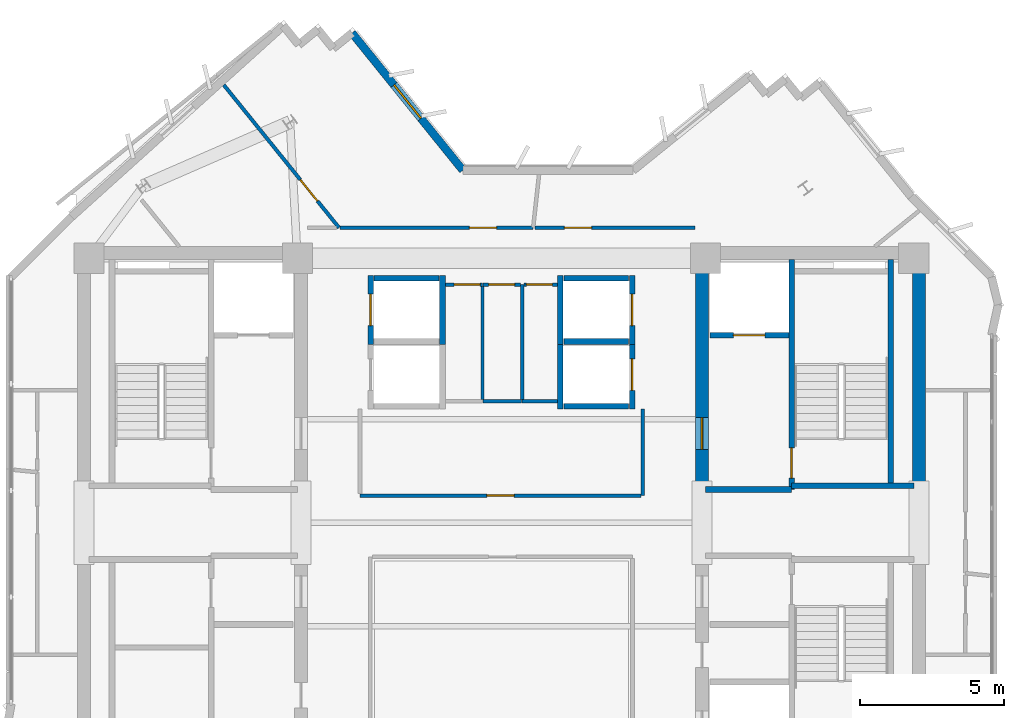
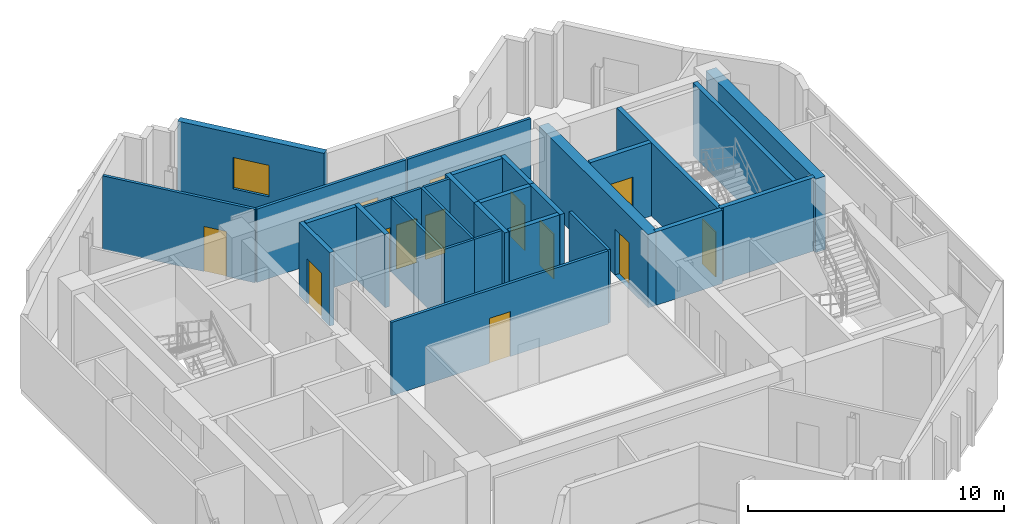
# One storey, part 8 of 11: 30 walls, 13 doors, 1 window, 14 openings.
"""IFC4 building model written with IfcOpenShell, lengths in metres."""

from ifc_helpers import new_model, si_unit, direction, frame, frame_2d, origin, place, context, subcontext, project, spatial, rectangle, extrude, source, transform, mapped, material, layer, layer_set, type_object, element, fill, save


model = new_model("IFC4")

# Units and contexts
model_context = context("Model", 3, precision=1e-05, world=origin(), true_north=direction((0.0, 1.0)))
body_context = subcontext(model_context, "Body", "Model", "MODEL_VIEW")
ifc_project = project(units=[si_unit("LENGTHUNIT", "METRE"), si_unit("AREAUNIT", "SQUARE_METRE"), si_unit("VOLUMEUNIT", "CUBIC_METRE"), si_unit("PLANEANGLEUNIT", "RADIAN"), si_unit("MASSUNIT", "GRAM", prefix="KILO")], contexts=[model_context])

# Site, building, storey
site_placement = place(None, origin())
site = spatial("IfcSite", under=ifc_project, at=site_placement, CompositionType="ELEMENT")
building_placement = place(site_placement, origin())
building = spatial("IfcBuilding", under=site, at=building_placement, Name="Zahravan Cultural Tower", CompositionType="ELEMENT")
storey_placement = place(building_placement, frame((0.0, 0.0, 284.10009765625)))
storey = spatial("IfcBuildingStorey", under=building, at=storey_placement, Name="L68", CompositionType="ELEMENT", Elevation=284.10009765625)

# Wall, opening, door
ifc_material_1 = material(Name="Concrete C50/60", Category="concrete")
ifc_layer_1 = layer(ifc_material_1, 0.449951171875)
ifc_layer_set_1 = layer_set([ifc_layer_1], Name="Concrete C50/60")
wall_type_1 = type_object("IfcWallType", Name="CW-SHEAR-450-C50", PredefinedType="SHEAR", material=ifc_layer_set_1)
wall_1_placement = place(storey_placement, frame((42.97509765625, 28.050048828125, 0.0), z_axis=(0.0, 0.0, 1.0), x_axis=(0.0, 1.0, 0.0)))
wall_1 = element("IfcWall", 1, at=wall_1_placement, inside=storey, type_object=wall_type_1, Name="L68 Core Shear Wall CW-E-WN-L68", PredefinedType="SHEAR", context=body_context, shape_type="SweptSolid", body=[
    extrude(rectangle(XDim=8.550048828125, YDim=0.449951171875, at=frame_2d((4.27490234375, 0.0))), origin(), (0.0, 0.0, 1.0), 3.5),
])
opening_1_placement = place(wall_1_placement, frame((1.5, 0.0, 0.0)))
opening_1 = element("IfcOpeningElement", 2, at=opening_1_placement, cuts=wall_1, Name="Opening D-L68-07", PredefinedType="OPENING", context=body_context, shape_type="SweptSolid", body=[
    extrude(rectangle(XDim=1.10009765625, YDim=2.199951171875, at=frame_2d((0.550048828125, 1.10009765625))), frame((0.0, 0.23486328125, 0.0), z_axis=(0.0, -1.0, 0.0), x_axis=(1.0, 0.0, 0.0)), (0.0, 0.0, 1.0), 0.469970703125),
])
ifc_material_2 = material(Name="Steel ASTM A572 Grade 50", Category="steel")
door_type_1 = type_object("IfcDoorType", Name="DR-LOBBY-1100", OperationType="NOTDEFINED", PredefinedType="DOOR", material=ifc_material_2)
shared_shape_1 = source(origin(), body_context, "Body", "SweptSolid", [
    extrude(rectangle(XDim=1.10009765625, YDim=2.199951171875, at=frame_2d((0.550048828125, 1.10009765625))), frame((0.0, 0.02490234375, 0.0), z_axis=(0.0, -1.0, 0.0), x_axis=(1.0, 0.0, 0.0)), (0.0, 0.0, 1.0), 0.050048828125),
])
door_1_placement = place(opening_1_placement, origin())
door_1 = element("IfcDoor", 3, at=door_1_placement, inside=storey, type_object=door_type_1, Name="L68 Door D-L68-07", OperationType="SINGLE_SWING_RIGHT", OverallHeight=2.199951171875, OverallWidth=1.10009765625, PredefinedType="DOOR", context=body_context, shape_type="MappedRepresentation", body=[
    mapped(shared_shape_1, transform((0.0, 0.0, 0.0), x_axis=(1.0, 0.0, 0.0), y_axis=(0.0, 1.0, 0.0), z_axis=(0.0, 0.0, 1.0), scale=1.0)),
])
fill(opening_1, door_1)

# Wall, opening, window
ifc_material_3 = material(Name="Precast concrete C40/50", Category="concrete")
ifc_layer_2 = layer(ifc_material_3, 0.280029296875)
ifc_layer_set_2 = layer_set([ifc_layer_2], Name="Precast concrete C40/50")
wall_type_2 = type_object("IfcWallType", Name="EW-TC-280", PredefinedType="SOLIDWALL", material=ifc_layer_set_2)
wall_2_placement = place(storey_placement, frame((30.80419921875, 44.037353515625, 0.0), z_axis=(0.0, 0.0, 1.0), x_axis=(0.628194566809, -0.778056287316, 0.0)))
wall_2 = element("IfcWall", 4, at=wall_2_placement, inside=storey, type_object=wall_type_2, Name="L68 Exterior Masonry Frame Wall 07", PredefinedType="SOLIDWALL", context=body_context, shape_type="SweptSolid", body=[
    extrude(rectangle(XDim=6.14013671875, YDim=0.280029296875, at=frame_2d((3.070068359375, 0.0))), origin(), (0.0, 0.0, 1.0), 3.5),
])
opening_2_placement = place(wall_2_placement, frame((2.320068359375, 0.0, 0.85009765625)))
opening_2 = element("IfcOpeningElement", 5, at=opening_2_placement, cuts=wall_2, Name="Opening WN-03", PredefinedType="OPENING", context=body_context, shape_type="SweptSolid", body=[
    extrude(rectangle(XDim=1.5, YDim=1.5, at=frame_2d((0.75, 0.75))), frame((0.0, 0.14990234375, 0.0), z_axis=(0.0, -1.0, 0.0), x_axis=(1.0, 0.0, 0.0)), (0.0, 0.0, 1.0), 0.300048828125),
])
ifc_material_4 = material(Name="Low-E solar-control double glazing", Category="glass")
window_type = type_object("IfcWindowType", Name="WN-REC-1500X1500", PartitioningType="SINGLE_PANEL", PredefinedType="WINDOW", material=ifc_material_4)
shared_shape_2 = source(origin(), body_context, "Body", "SweptSolid", [
    extrude(rectangle(XDim=1.5, YDim=1.5, at=frame_2d((0.75, 0.75))), frame((0.0, 0.030029296875, 0.0), z_axis=(0.0, -1.0, 0.0), x_axis=(1.0, 0.0, 0.0)), (0.0, 0.0, 1.0), 0.06005859375),
])
window_placement = place(opening_2_placement, origin())
window = element("IfcWindow", 6, at=window_placement, inside=storey, type_object=window_type, Name="L68 Recessed Solar Window 02", OverallHeight=1.5, OverallWidth=1.5, PartitioningType="SINGLE_PANEL", PredefinedType="WINDOW", context=body_context, shape_type="MappedRepresentation", body=[
    mapped(shared_shape_2, transform((0.0, 0.0, 0.0), x_axis=(1.0, 0.0, 0.0), y_axis=(0.0, 1.0, 0.0), z_axis=(0.0, 0.0, 1.0), scale=1.0)),
])
fill(opening_2, window)

# Wall, opening, door
ifc_material_5 = material(Name="Gypsum plasterboard partition")
ifc_layer_3 = layer(ifc_material_5, 0.125)
ifc_layer_set_3 = layer_set([ifc_layer_3], Name="Gypsum plasterboard partition")
wall_type_3 = type_object("IfcWallType", Name="W-PART-125", PredefinedType="PARTITIONING", material=ifc_layer_set_3)
wall_3_placement = place(storey_placement, frame((26.340576171875, 42.227294921875, 0.0), z_axis=(0.0, 0.0, 1.0), x_axis=(0.628191114615, -0.778059074569, 0.0)))
wall_3 = element("IfcWall", 7, at=wall_3_placement, inside=storey, type_object=wall_type_3, Name="L68 Interior Wall 071", PredefinedType="PARTITIONING", context=body_context, shape_type="SweptSolid", body=[
    extrude(rectangle(XDim=6.38427734375, YDim=0.125, at=frame_2d((3.192138671875, 0.0))), origin(), (0.0, 0.0, 1.0), 3.5),
])
opening_3_placement = place(wall_3_placement, frame((4.238525390625, 0.0, 0.0)))
opening_3 = element("IfcOpeningElement", 8, at=opening_3_placement, cuts=wall_3, Name="Opening D-L68-25", PredefinedType="OPENING", context=body_context, shape_type="SweptSolid", body=[
    extrude(rectangle(XDim=0.949951171875, YDim=2.14990234375, at=frame_2d((0.47509765625, 1.074951171875))), frame((0.0, 0.072509765625, 0.0), z_axis=(0.0, -1.0, 0.0), x_axis=(1.0, 0.0, 0.0)), (0.0, 0.0, 1.0), 0.14501953125),
])
ifc_material_6 = material(Name="Anodised bronze-aluminium mullion", Category="aluminium")
door_type_2 = type_object("IfcDoorType", Name="DR-ROOM-950", OperationType="NOTDEFINED", PredefinedType="DOOR", material=ifc_material_6)
shared_shape_3 = source(origin(), body_context, "Body", "SweptSolid", [
    extrude(rectangle(XDim=0.949951171875, YDim=2.14990234375, at=frame_2d((0.47509765625, 1.074951171875))), frame((0.0, 0.02490234375, 0.0), z_axis=(0.0, -1.0, 0.0), x_axis=(1.0, 0.0, 0.0)), (0.0, 0.0, 1.0), 0.050048828125),
])
door_2_placement = place(opening_3_placement, origin())
door_2 = element("IfcDoor", 9, at=door_2_placement, inside=storey, type_object=door_type_2, Name="L68 Door D-L68-25", OperationType="SINGLE_SWING_RIGHT", OverallHeight=2.14990234375, OverallWidth=0.949951171875, PredefinedType="DOOR", context=body_context, shape_type="MappedRepresentation", body=[
    mapped(shared_shape_3, transform((0.0, 0.0, 0.0), x_axis=(1.0, 0.0, 0.0), y_axis=(0.0, 1.0, 0.0), z_axis=(0.0, 0.0, 1.0), scale=1.0)),
])
fill(opening_3, door_2)

wall_4_placement = place(storey_placement, frame((40.8525390625, 27.93994140625, 0.0), z_axis=(0.0, 0.0, 1.0), x_axis=(-1.0, 0.0, 0.0)))
wall_4 = element("IfcWall", 10, at=wall_4_placement, inside=storey, type_object=wall_type_3, Name="L68 Interior Wall 078", PredefinedType="PARTITIONING", context=body_context, shape_type="SweptSolid", body=[
    extrude(rectangle(XDim=9.7724609375, YDim=0.125, at=frame_2d((4.88623046875, 0.0))), origin(), (0.0, 0.0, 1.0), 3.5),
])
opening_4_placement = place(wall_4_placement, frame((4.411376953125, 0.0, 0.0)))
opening_4 = element("IfcOpeningElement", 11, at=opening_4_placement, cuts=wall_4, Name="Opening D-L68-16", PredefinedType="OPENING", context=body_context, shape_type="SweptSolid", body=[
    extrude(rectangle(XDim=0.949951171875, YDim=2.14990234375, at=frame_2d((0.47509765625, 1.074951171875))), frame((0.0, 0.072509765625, 0.0), z_axis=(0.0, -1.0, 0.0), x_axis=(1.0, 0.0, 0.0)), (0.0, 0.0, 1.0), 0.14501953125),
])
door_3_placement = place(opening_4_placement, origin())
door_3 = element("IfcDoor", 12, at=door_3_placement, inside=storey, type_object=door_type_2, Name="L68 Door D-L68-16", OperationType="SINGLE_SWING_LEFT", OverallHeight=2.14990234375, OverallWidth=0.949951171875, PredefinedType="DOOR", context=body_context, shape_type="MappedRepresentation", body=[
    mapped(shared_shape_3, transform((0.0, 0.0, 0.0), x_axis=(1.0, 0.0, 0.0), y_axis=(0.0, 1.0, 0.0), z_axis=(0.0, 0.0, 1.0), scale=1.0)),
])
fill(opening_4, door_3)

wall_5_placement = place(storey_placement, frame((37.103759765625, 37.260009765625, 0.0), z_axis=(0.0, 0.0, 1.0), x_axis=(-1.0, 0.0, 0.0)))
wall_5 = element("IfcWall", 13, at=wall_5_placement, inside=storey, type_object=wall_type_3, Name="L68 Interior Wall 080", PredefinedType="PARTITIONING", context=body_context, shape_type="SweptSolid", body=[
    extrude(rectangle(XDim=6.72705078125, YDim=0.125, at=frame_2d((3.363525390625, 0.0))), origin(), (0.0, 0.0, 1.0), 3.5),
])
opening_5_placement = place(wall_5_placement, frame((1.27099609375, 0.0, 0.0)))
opening_5 = element("IfcOpeningElement", 14, at=opening_5_placement, cuts=wall_5, Name="Opening D-L68-19", PredefinedType="OPENING", context=body_context, shape_type="SweptSolid", body=[
    extrude(rectangle(XDim=0.949951171875, YDim=2.14990234375, at=frame_2d((0.47509765625, 1.074951171875))), frame((0.0, 0.072509765625, 0.0), z_axis=(0.0, -1.0, 0.0), x_axis=(1.0, 0.0, 0.0)), (0.0, 0.0, 1.0), 0.14501953125),
])
door_4_placement = place(opening_5_placement, origin())
door_4 = element("IfcDoor", 15, at=door_4_placement, inside=storey, type_object=door_type_2, Name="L68 Door D-L68-19", OperationType="SINGLE_SWING_RIGHT", OverallHeight=2.14990234375, OverallWidth=0.949951171875, PredefinedType="DOOR", context=body_context, shape_type="MappedRepresentation", body=[
    mapped(shared_shape_3, transform((0.0, 0.0, 0.0), x_axis=(1.0, 0.0, 0.0), y_axis=(0.0, 1.0, 0.0), z_axis=(0.0, 0.0, 1.0), scale=1.0)),
])
fill(opening_5, door_4)

wall_6_placement = place(storey_placement, frame((42.742431640625, 37.259765625, 0.0), z_axis=(0.0, 0.0, 1.0), x_axis=(-0.99999999904, 4.382505e-05, 0.0)))
wall_6 = element("IfcWall", 16, at=wall_6_placement, inside=storey, type_object=wall_type_3, Name="L68 Interior Wall 086", PredefinedType="PARTITIONING", context=body_context, shape_type="SweptSolid", body=[
    extrude(rectangle(XDim=5.57080078125, YDim=0.125, at=frame_2d((2.785400390625, 0.0))), origin(), (0.0, 0.0, 1.0), 3.5),
])
opening_6_placement = place(wall_6_placement, frame((3.604248046875, 0.0, 0.0)))
opening_6 = element("IfcOpeningElement", 17, at=opening_6_placement, cuts=wall_6, Name="Opening D-L68-18", PredefinedType="OPENING", context=body_context, shape_type="SweptSolid", body=[
    extrude(rectangle(XDim=0.949951171875, YDim=2.14990234375, at=frame_2d((0.47509765625, 1.074951171875))), frame((0.0, 0.072509765625, 0.0), z_axis=(0.0, -1.0, 0.0), x_axis=(1.0, 0.0, 0.0)), (0.0, 0.0, 1.0), 0.14501953125),
])
door_5_placement = place(opening_6_placement, origin())
door_5 = element("IfcDoor", 18, at=door_5_placement, inside=storey, type_object=door_type_2, Name="L68 Door D-L68-18", OperationType="SINGLE_SWING_LEFT", OverallHeight=2.14990234375, OverallWidth=0.949951171875, PredefinedType="DOOR", context=body_context, shape_type="MappedRepresentation", body=[
    mapped(shared_shape_3, transform((0.0, 0.0, 0.0), x_axis=(1.0, 0.0, 0.0), y_axis=(0.0, 1.0, 0.0), z_axis=(0.0, 0.0, 1.0), scale=1.0)),
])
fill(opening_6, door_5)

ifc_material_7 = material(Name="Concrete C45/55", Category="concrete")
ifc_layer_4 = layer(ifc_material_7, 0.199951171875)
ifc_layer_set_4 = layer_set([ifc_layer_4], Name="Concrete C45/55")
wall_type_4 = type_object("IfcWallType", Name="W-SHAFT-200", PredefinedType="SOLIDWALL", material=ifc_layer_set_4)
wall_7_placement = place(storey_placement, frame((46.10009765625, 28.14990234375, 0.0), z_axis=(0.0, 0.0, 1.0), x_axis=(0.0, 1.0, 0.0)))
wall_7 = element("IfcWall", 19, at=wall_7_placement, inside=storey, type_object=wall_type_4, Name="L68 Interior Wall 008", PredefinedType="SOLIDWALL", context=body_context, shape_type="SweptSolid", body=[
    extrude(rectangle(XDim=8.0, YDim=0.199951171875, at=frame_2d((4.0, 0.0))), origin(), (0.0, 0.0, 1.0), 3.5),
])
opening_7_placement = place(wall_7_placement, frame((0.39990234375, 0.0, 0.0)))
opening_7 = element("IfcOpeningElement", 20, at=opening_7_placement, cuts=wall_7, Name="Opening D-L68-02", PredefinedType="OPENING", context=body_context, shape_type="SweptSolid", body=[
    extrude(rectangle(XDim=1.050048828125, YDim=2.14990234375, at=frame_2d((0.52490234375, 1.074951171875))), frame((0.0, 0.10986328125, 0.0), z_axis=(0.0, -1.0, 0.0), x_axis=(1.0, 0.0, 0.0)), (0.0, 0.0, 1.0), 0.219970703125),
])
door_type_3 = type_object("IfcDoorType", Name="DR-STAIR-1050", OperationType="NOTDEFINED", PredefinedType="DOOR", material=ifc_material_2)
shared_shape_4 = source(origin(), body_context, "Body", "SweptSolid", [
    extrude(rectangle(XDim=1.050048828125, YDim=2.14990234375, at=frame_2d((0.52490234375, 1.074951171875))), frame((0.0, 0.02490234375, 0.0), z_axis=(0.0, -1.0, 0.0), x_axis=(1.0, 0.0, 0.0)), (0.0, 0.0, 1.0), 0.050048828125),
])
door_6_placement = place(opening_7_placement, origin())
door_6 = element("IfcDoor", 21, at=door_6_placement, inside=storey, type_object=door_type_3, Name="L68 Door D-L68-02", OperationType="SINGLE_SWING_LEFT", OverallHeight=2.14990234375, OverallWidth=1.050048828125, PredefinedType="DOOR", context=body_context, shape_type="MappedRepresentation", body=[
    mapped(shared_shape_4, transform((0.0, 0.0, 0.0), x_axis=(1.0, 0.0, 0.0), y_axis=(0.0, 1.0, 0.0), z_axis=(0.0, 0.0, 1.0), scale=1.0)),
])
fill(opening_7, door_6)

wall_8_placement = place(storey_placement, frame((43.25, 33.52001953125, 0.0), z_axis=(0.0, 0.0, 1.0), x_axis=(1.0, 0.0, 0.0)))
wall_8 = element("IfcWall", 22, at=wall_8_placement, inside=storey, type_object=wall_type_4, Name="L68 Interior Wall 023", PredefinedType="SOLIDWALL", context=body_context, shape_type="SweptSolid", body=[
    extrude(rectangle(XDim=2.75, YDim=0.199951171875, at=frame_2d((1.375, 0.0))), origin(), (0.0, 0.0, 1.0), 3.5),
])
opening_8_placement = place(wall_8_placement, frame((0.820068359375, 0.0, 0.0)))
opening_8 = element("IfcOpeningElement", 23, at=opening_8_placement, cuts=wall_8, Name="Opening LD-L68-02", PredefinedType="OPENING", context=body_context, shape_type="SweptSolid", body=[
    extrude(rectangle(XDim=1.10009765625, YDim=2.14990234375, at=frame_2d((0.550048828125, 1.074951171875))), frame((0.0, 0.10986328125, 0.0), z_axis=(0.0, -1.0, 0.0), x_axis=(1.0, 0.0, 0.0)), (0.0, 0.0, 1.0), 0.219970703125),
])
door_type_4 = type_object("IfcDoorType", Name="DR-LIFT-1100", OperationType="DOUBLE_DOOR_SLIDING", PredefinedType="DOOR", material=ifc_material_2)
shared_shape_5 = source(origin(), body_context, "Body", "SweptSolid", [
    extrude(rectangle(XDim=1.10009765625, YDim=2.14990234375, at=frame_2d((0.550048828125, 1.074951171875))), frame((0.0, 0.02490234375, 0.0), z_axis=(0.0, -1.0, 0.0), x_axis=(1.0, 0.0, 0.0)), (0.0, 0.0, 1.0), 0.050048828125),
])
door_7_placement = place(opening_8_placement, origin())
door_7 = element("IfcDoor", 24, at=door_7_placement, inside=storey, type_object=door_type_4, Name="L68 Door LD-L68-02", OperationType="DOUBLE_DOOR_SLIDING", OverallHeight=2.14990234375, OverallWidth=1.10009765625, PredefinedType="DOOR", context=body_context, shape_type="MappedRepresentation", body=[
    mapped(shared_shape_5, transform((0.0, 0.0, 0.0), x_axis=(1.0, 0.0, 0.0), y_axis=(0.0, 1.0, 0.0), z_axis=(0.0, 0.0, 1.0), scale=1.0)),
])
fill(opening_8, door_7)

wall_9_placement = place(storey_placement, frame((31.449951171875, 33.199951171875, 0.0), z_axis=(0.0, 0.0, 1.0), x_axis=(0.0, 1.0, 0.0)))
wall_9 = element("IfcWall", 25, at=wall_9_placement, inside=storey, type_object=wall_type_4, Name="L68 Interior Wall 027", PredefinedType="SOLIDWALL", context=body_context, shape_type="SweptSolid", body=[
    extrude(rectangle(XDim=2.400146484375, YDim=0.199951171875, at=frame_2d((1.2001953125, 0.0))), origin(), (0.0, 0.0, 1.0), 3.5),
])
opening_9_placement = place(wall_9_placement, frame((0.64990234375, 0.0, 0.0)))
opening_9 = element("IfcOpeningElement", 26, at=opening_9_placement, cuts=wall_9, Name="Opening LD-L68-04", PredefinedType="OPENING", context=body_context, shape_type="SweptSolid", body=[
    extrude(rectangle(XDim=1.10009765625, YDim=2.14990234375, at=frame_2d((0.550048828125, 1.074951171875))), frame((0.0, 0.10986328125, 0.0), z_axis=(0.0, -1.0, 0.0), x_axis=(1.0, 0.0, 0.0)), (0.0, 0.0, 1.0), 0.219970703125),
])
door_8_placement = place(opening_9_placement, origin())
door_8 = element("IfcDoor", 27, at=door_8_placement, inside=storey, type_object=door_type_4, Name="L68 Door LD-L68-04", OperationType="DOUBLE_DOOR_SLIDING", OverallHeight=2.14990234375, OverallWidth=1.10009765625, PredefinedType="DOOR", context=body_context, shape_type="MappedRepresentation", body=[
    mapped(shared_shape_5, transform((0.0, 0.0, 0.0), x_axis=(1.0, 0.0, 0.0), y_axis=(0.0, 1.0, 0.0), z_axis=(0.0, 0.0, 1.0), scale=1.0)),
])
fill(opening_9, door_8)

wall_10_placement = place(storey_placement, frame((40.550048828125, 33.199951171875, 0.0), z_axis=(0.0, 0.0, 1.0), x_axis=(0.0, 1.0, 0.0)))
wall_10 = element("IfcWall", 28, at=wall_10_placement, inside=storey, type_object=wall_type_4, Name="L68 Interior Wall 035", PredefinedType="SOLIDWALL", context=body_context, shape_type="SweptSolid", body=[
    extrude(rectangle(XDim=2.400146484375, YDim=0.199951171875, at=frame_2d((1.2001953125, 0.0))), origin(), (0.0, 0.0, 1.0), 3.5),
])
opening_10_placement = place(wall_10_placement, frame((0.64990234375, 0.0, 0.0)))
opening_10 = element("IfcOpeningElement", 29, at=opening_10_placement, cuts=wall_10, Name="Opening LD-L68-06", PredefinedType="OPENING", context=body_context, shape_type="SweptSolid", body=[
    extrude(rectangle(XDim=1.10009765625, YDim=2.14990234375, at=frame_2d((0.550048828125, 1.074951171875))), frame((0.0, 0.10986328125, 0.0), z_axis=(0.0, -1.0, 0.0), x_axis=(1.0, 0.0, 0.0)), (0.0, 0.0, 1.0), 0.219970703125),
])
door_9_placement = place(opening_10_placement, origin())
door_9 = element("IfcDoor", 30, at=door_9_placement, inside=storey, type_object=door_type_4, Name="L68 Door LD-L68-06", OperationType="DOUBLE_DOOR_SLIDING", OverallHeight=2.14990234375, OverallWidth=1.10009765625, PredefinedType="DOOR", context=body_context, shape_type="MappedRepresentation", body=[
    mapped(shared_shape_5, transform((0.0, 0.0, 0.0), x_axis=(1.0, 0.0, 0.0), y_axis=(0.0, 1.0, 0.0), z_axis=(0.0, 0.0, 1.0), scale=1.0)),
])
fill(opening_10, door_9)

wall_11_placement = place(storey_placement, frame((40.550048828125, 30.949951171875, 0.0), z_axis=(0.0, 0.0, 1.0), x_axis=(0.0, 1.0, 0.0)))
wall_11 = element("IfcWall", 31, at=wall_11_placement, inside=storey, type_object=wall_type_4, Name="L68 Interior Wall 039", PredefinedType="SOLIDWALL", context=body_context, shape_type="SweptSolid", body=[
    extrude(rectangle(XDim=2.400146484375, YDim=0.199951171875, at=frame_2d((1.2001953125, 0.0))), origin(), (0.0, 0.0, 1.0), 3.5),
])
opening_11_placement = place(wall_11_placement, frame((0.64990234375, 0.0, 0.0)))
opening_11 = element("IfcOpeningElement", 32, at=opening_11_placement, cuts=wall_11, Name="Opening LD-L68-07", PredefinedType="OPENING", context=body_context, shape_type="SweptSolid", body=[
    extrude(rectangle(XDim=1.10009765625, YDim=2.14990234375, at=frame_2d((0.550048828125, 1.074951171875))), frame((0.0, 0.10986328125, 0.0), z_axis=(0.0, -1.0, 0.0), x_axis=(1.0, 0.0, 0.0)), (0.0, 0.0, 1.0), 0.219970703125),
])
door_10_placement = place(opening_11_placement, origin())
door_10 = element("IfcDoor", 33, at=door_10_placement, inside=storey, type_object=door_type_4, Name="L68 Door LD-L68-07", OperationType="DOUBLE_DOOR_SLIDING", OverallHeight=2.14990234375, OverallWidth=1.10009765625, PredefinedType="DOOR", context=body_context, shape_type="MappedRepresentation", body=[
    mapped(shared_shape_5, transform((0.0, 0.0, 0.0), x_axis=(1.0, 0.0, 0.0), y_axis=(0.0, 1.0, 0.0), z_axis=(0.0, 0.0, 1.0), scale=1.0)),
])
fill(opening_11, door_10)

ifc_layer_5 = layer(ifc_material_5, 0.114990234375)
ifc_layer_set_5 = layer_set([ifc_layer_5], Name="Gypsum plasterboard partition")
wall_type_5 = type_object("IfcWallType", Name="W-WC-115", PredefinedType="PARTITIONING", material=ifc_layer_set_5)
wall_12_placement = place(storey_placement, frame((36.782470703125, 35.280029296875, 0.0), z_axis=(0.0, 0.0, 1.0), x_axis=(1.0, 0.0, 0.0)))
wall_12 = element("IfcWall", 34, at=wall_12_placement, inside=storey, type_object=wall_type_5, Name="L68 Interior Wall 043", PredefinedType="PARTITIONING", context=body_context, shape_type="SweptSolid", body=[
    extrude(rectangle(XDim=1.16259765625, YDim=0.114990234375, at=frame_2d((0.581298828125, 0.0))), origin(), (0.0, 0.0, 1.0), 3.5),
])
opening_12_placement = place(wall_12_placement, frame((0.0888671875, 0.0, 0.0)))
opening_12 = element("IfcOpeningElement", 35, at=opening_12_placement, cuts=wall_12, Name="Opening D-L68-15", PredefinedType="OPENING", context=body_context, shape_type="SweptSolid", body=[
    extrude(rectangle(XDim=0.89990234375, YDim=2.10009765625, at=frame_2d((0.449951171875, 1.050048828125))), frame((0.0, 0.0673828125, 0.0), z_axis=(0.0, -1.0, 0.0), x_axis=(1.0, 0.0, 0.0)), (0.0, 0.0, 1.0), 0.135009765625),
])
door_type_5 = type_object("IfcDoorType", Name="DR-WC-900", OperationType="NOTDEFINED", PredefinedType="DOOR", material=ifc_material_6)
shared_shape_6 = source(origin(), body_context, "Body", "SweptSolid", [
    extrude(rectangle(XDim=0.89990234375, YDim=2.10009765625, at=frame_2d((0.449951171875, 1.050048828125))), frame((0.0, 0.02490234375, 0.0), z_axis=(0.0, -1.0, 0.0), x_axis=(1.0, 0.0, 0.0)), (0.0, 0.0, 1.0), 0.050048828125),
])
door_11_placement = place(opening_12_placement, origin())
door_11 = element("IfcDoor", 36, at=door_11_placement, inside=storey, type_object=door_type_5, Name="L68 Door D-L68-15", OperationType="SINGLE_SWING_RIGHT", OverallHeight=2.10009765625, OverallWidth=0.89990234375, PredefinedType="DOOR", context=body_context, shape_type="MappedRepresentation", body=[
    mapped(shared_shape_6, transform((0.0, 0.0, 0.0), x_axis=(1.0, 0.0, 0.0), y_axis=(0.0, 1.0, 0.0), z_axis=(0.0, 0.0, 1.0), scale=1.0)),
])
fill(opening_12, door_11)

wall_13_placement = place(storey_placement, frame((34.054931640625, 35.280029296875, 0.0), z_axis=(0.0, 0.0, 1.0), x_axis=(1.0, 0.0, 0.0)))
wall_13 = element("IfcWall", 37, at=wall_13_placement, inside=storey, type_object=wall_type_5, Name="L68 Interior Wall 045", PredefinedType="PARTITIONING", context=body_context, shape_type="SweptSolid", body=[
    extrude(rectangle(XDim=1.28515625, YDim=0.114990234375, at=frame_2d((0.642578125, 0.0))), origin(), (0.0, 0.0, 1.0), 3.5),
])
opening_13_placement = place(wall_13_placement, frame((0.30029296875, 0.0, 0.0)))
opening_13 = element("IfcOpeningElement", 38, at=opening_13_placement, cuts=wall_13, Name="Opening D-L68-13", PredefinedType="OPENING", context=body_context, shape_type="SweptSolid", body=[
    extrude(rectangle(XDim=0.89990234375, YDim=2.10009765625, at=frame_2d((0.449951171875, 1.050048828125))), frame((0.0, 0.0673828125, 0.0), z_axis=(0.0, -1.0, 0.0), x_axis=(1.0, 0.0, 0.0)), (0.0, 0.0, 1.0), 0.135009765625),
])
door_12_placement = place(opening_13_placement, origin())
door_12 = element("IfcDoor", 39, at=door_12_placement, inside=storey, type_object=door_type_5, Name="L68 Door D-L68-13", OperationType="SINGLE_SWING_RIGHT", OverallHeight=2.10009765625, OverallWidth=0.89990234375, PredefinedType="DOOR", context=body_context, shape_type="MappedRepresentation", body=[
    mapped(shared_shape_6, transform((0.0, 0.0, 0.0), x_axis=(1.0, 0.0, 0.0), y_axis=(0.0, 1.0, 0.0), z_axis=(0.0, 0.0, 1.0), scale=1.0)),
])
fill(opening_13, door_12)

wall_14_placement = place(storey_placement, frame((35.360107421875, 35.280029296875, 0.0), z_axis=(0.0, 0.0, 1.0), x_axis=(1.0, 0.0, 0.0)))
wall_14 = element("IfcWall", 40, at=wall_14_placement, inside=storey, type_object=wall_type_5, Name="L68 Interior Wall 048", PredefinedType="PARTITIONING", context=body_context, shape_type="SweptSolid", body=[
    extrude(rectangle(XDim=1.29736328125, YDim=0.114990234375, at=frame_2d((0.648681640625, 0.0))), origin(), (0.0, 0.0, 1.0), 3.5),
])
opening_14_placement = place(wall_14_placement, frame((0.19873046875, 0.0, 0.0)))
opening_14 = element("IfcOpeningElement", 41, at=opening_14_placement, cuts=wall_14, Name="Opening D-L68-14", PredefinedType="OPENING", context=body_context, shape_type="SweptSolid", body=[
    extrude(rectangle(XDim=0.89990234375, YDim=2.10009765625, at=frame_2d((0.449951171875, 1.050048828125))), frame((0.0, 0.0673828125, 0.0), z_axis=(0.0, -1.0, 0.0), x_axis=(1.0, 0.0, 0.0)), (0.0, 0.0, 1.0), 0.135009765625),
])
door_13_placement = place(opening_14_placement, origin())
door_13 = element("IfcDoor", 42, at=door_13_placement, inside=storey, type_object=door_type_5, Name="L68 Door D-L68-14", OperationType="SINGLE_SWING_LEFT", OverallHeight=2.10009765625, OverallWidth=0.89990234375, PredefinedType="DOOR", context=body_context, shape_type="MappedRepresentation", body=[
    mapped(shared_shape_6, transform((0.0, 0.0, 0.0), x_axis=(1.0, 0.0, 0.0), y_axis=(0.0, 1.0, 0.0), z_axis=(0.0, 0.0, 1.0), scale=1.0)),
])
fill(opening_14, door_13)

# Walls
shared_shape_7 = source(origin(), body_context, "Body", "SweptSolid", [
    extrude(rectangle(XDim=8.550048828125, YDim=0.449951171875, at=frame_2d((4.27490234375, 0.0))), origin(), (0.0, 0.0, 1.0), 3.5),
])
wall_15_placement = place(storey_placement, frame((50.52490234375, 28.050048828125, 0.0), z_axis=(0.0, 0.0, 1.0), x_axis=(0.0, 1.0, 0.0)))
element("IfcWall", 43, at=wall_15_placement, inside=storey, type_object=wall_type_1, Name="L68 Core Shear Wall CW-E-EN-L68", PredefinedType="SHEAR", context=body_context, shape_type="MappedRepresentation", body=[
    mapped(shared_shape_7, transform((0.0, 0.0, 0.0), x_axis=(1.0, 0.0, 0.0), y_axis=(0.0, 1.0, 0.0), z_axis=(0.0, 0.0, 1.0), scale=1.0)),
])
shared_shape_8 = source(origin(), body_context, "Body", "SweptSolid", [
    extrude(rectangle(XDim=7.869873046875, YDim=0.199951171875, at=frame_2d((3.93505859375, 0.0))), origin(), (0.0, 0.0, 1.0), 3.5),
])
wall_16_placement = place(storey_placement, frame((49.550048828125, 28.280029296875, 0.0), z_axis=(0.0, 0.0, 1.0), x_axis=(0.0, 1.0, 0.0)))
element("IfcWall", 44, at=wall_16_placement, inside=storey, type_object=wall_type_4, Name="L68 Interior Wall 004", PredefinedType="SOLIDWALL", context=body_context, shape_type="MappedRepresentation", body=[
    mapped(shared_shape_8, transform((0.0, 0.0, 0.0), x_axis=(1.0, 0.0, 0.0), y_axis=(0.0, 1.0, 0.0), z_axis=(0.0, 0.0, 1.0), scale=1.0)),
])
shared_shape_9 = source(origin(), body_context, "Body", "SweptSolid", [
    extrude(rectangle(XDim=4.25, YDim=0.199951171875, at=frame_2d((2.125, 0.0))), origin(), (0.0, 0.0, 1.0), 3.5),
])
wall_17_placement = place(storey_placement, frame((46.10009765625, 28.284912109375, 0.0), z_axis=(0.0, 0.0, 1.0), x_axis=(1.0, 0.0, 0.0)))
element("IfcWall", 45, at=wall_17_placement, inside=storey, type_object=wall_type_4, Name="L68 Interior Wall 016", PredefinedType="SOLIDWALL", context=body_context, shape_type="MappedRepresentation", body=[
    mapped(shared_shape_9, transform((0.0, 0.0, 0.0), x_axis=(1.0, 0.0, 0.0), y_axis=(0.0, 1.0, 0.0), z_axis=(0.0, 0.0, 1.0), scale=1.0)),
])
shared_shape_10 = source(origin(), body_context, "Body", "SweptSolid", [
    extrude(rectangle(XDim=3.0, YDim=0.199951171875, at=frame_2d((1.5, 0.0))), origin(), (0.0, 0.0, 1.0), 3.5),
])
wall_18_placement = place(storey_placement, frame((43.10009765625, 28.14990234375, 0.0), z_axis=(0.0, 0.0, 1.0), x_axis=(1.0, 0.0, 0.0)))
element("IfcWall", 46, at=wall_18_placement, inside=storey, type_object=wall_type_4, Name="L68 Interior Wall 015", PredefinedType="SOLIDWALL", context=body_context, shape_type="MappedRepresentation", body=[
    mapped(shared_shape_10, transform((0.0, 0.0, 0.0), x_axis=(1.0, 0.0, 0.0), y_axis=(0.0, 1.0, 0.0), z_axis=(0.0, 0.0, 1.0), scale=1.0)),
])
shared_shape_11 = source(origin(), body_context, "Body", "SweptSolid", [
    extrude(rectangle(XDim=2.400146484375, YDim=0.199951171875, at=frame_2d((1.2001953125, 0.0))), origin(), (0.0, 0.0, 1.0), 3.5),
])
for number, where, z_axis, x_axis, name in (
    (47, (33.949951171875, 33.199951171875, 0.0), (0.0, 0.0, 1.0), (0.0, 1.0, 0.0), "L68 Interior Wall 028"),
    (48, (38.050048828125, 33.199951171875, 0.0), (0.0, 0.0, 1.0), (0.0, 1.0, 0.0), "L68 Interior Wall 034"),
    (49, (38.050048828125, 30.949951171875, 0.0), (0.0, 0.0, 1.0), (0.0, 1.0, 0.0), "L68 Interior Wall 038"),
):
    element("IfcWall", number, at=place(storey_placement, frame(where, z_axis=z_axis, x_axis=x_axis)), inside=storey, type_object=wall_type_4, Name=name, PredefinedType="SOLIDWALL", context=body_context, shape_type="MappedRepresentation", body=[
        mapped(shared_shape_11, transform((0.0, 0.0, 0.0), x_axis=(1.0, 0.0, 0.0), y_axis=(0.0, 1.0, 0.0), z_axis=(0.0, 0.0, 1.0), scale=1.0)),
    ])
shared_shape_12 = source(origin(), body_context, "Body", "SweptSolid", [
    extrude(rectangle(XDim=2.260009765625, YDim=0.199951171875, at=frame_2d((1.1298828125, 0.0))), origin(), (0.0, 0.0, 1.0), 3.5),
])
for number, where, z_axis, x_axis, name in (
    (50, (31.570068359375, 35.5, 0.0), (0.0, 0.0, 1.0), (1.0, 0.0, 0.0), "L68 Interior Wall 030"),
    (51, (38.169921875, 33.300048828125, 0.0), (0.0, 0.0, 1.0), (1.0, 0.0, 0.0), "L68 Interior Wall 036"),
    (52, (38.169921875, 35.5, 0.0), (0.0, 0.0, 1.0), (1.0, 0.0, 0.0), "L68 Interior Wall 037"),
    (53, (38.169921875, 31.050048828125, 0.0), (0.0, 0.0, 1.0), (1.0, 0.0, 0.0), "L68 Interior Wall 040"),
):
    element("IfcWall", number, at=place(storey_placement, frame(where, z_axis=z_axis, x_axis=x_axis)), inside=storey, type_object=wall_type_4, Name=name, PredefinedType="SOLIDWALL", context=body_context, shape_type="MappedRepresentation", body=[
        mapped(shared_shape_12, transform((0.0, 0.0, 0.0), x_axis=(1.0, 0.0, 0.0), y_axis=(0.0, 1.0, 0.0), z_axis=(0.0, 0.0, 1.0), scale=1.0)),
    ])
shared_shape_13 = source(origin(), body_context, "Body", "SweptSolid", [
    extrude(rectangle(XDim=3.010009765625, YDim=0.125, at=frame_2d((1.5048828125, 0.0))), origin(), (0.0, 0.0, 1.0), 3.5),
])
wall_19_placement = place(storey_placement, frame((40.919921875, 30.949951171875, 0.0), z_axis=(0.0, 0.0, 1.0), x_axis=(0.0, -1.0, 0.0)))
element("IfcWall", 54, at=wall_19_placement, inside=storey, type_object=wall_type_3, Name="L68 Interior Wall 077", PredefinedType="PARTITIONING", context=body_context, shape_type="MappedRepresentation", body=[
    mapped(shared_shape_13, transform((0.0, 0.0, 0.0), x_axis=(1.0, 0.0, 0.0), y_axis=(0.0, 1.0, 0.0), z_axis=(0.0, 0.0, 1.0), scale=1.0)),
])
shared_shape_14 = source(origin(), body_context, "Body", "SweptSolid", [
    extrude(rectangle(XDim=1.22509765625, YDim=0.114990234375, at=frame_2d((0.612548828125, 0.0))), origin(), (0.0, 0.0, 1.0), 3.5),
])
wall_20_placement = place(storey_placement, frame((37.945068359375, 31.219970703125, 0.0), z_axis=(0.0, 0.0, 1.0), x_axis=(-1.0, 0.0, 0.0)))
element("IfcWall", 55, at=wall_20_placement, inside=storey, type_object=wall_type_5, Name="L68 Interior Wall 041", PredefinedType="PARTITIONING", context=body_context, shape_type="MappedRepresentation", body=[
    mapped(shared_shape_14, transform((0.0, 0.0, 0.0), x_axis=(1.0, 0.0, 0.0), y_axis=(0.0, 1.0, 0.0), z_axis=(0.0, 0.0, 1.0), scale=1.0)),
])
shared_shape_15 = source(origin(), body_context, "Body", "SweptSolid", [
    extrude(rectangle(XDim=3.99755859375, YDim=0.114990234375, at=frame_2d((1.998779296875, 0.0))), origin(), (0.0, 0.0, 1.0), 3.5),
])
wall_21_placement = place(storey_placement, frame((36.719970703125, 31.282470703125, 0.0), z_axis=(0.0, 0.0, 1.0), x_axis=(0.0, 1.0, 0.0)))
element("IfcWall", 56, at=wall_21_placement, inside=storey, type_object=wall_type_5, Name="L68 Interior Wall 042", PredefinedType="PARTITIONING", context=body_context, shape_type="MappedRepresentation", body=[
    mapped(shared_shape_15, transform((0.0, 0.0, 0.0), x_axis=(1.0, 0.0, 0.0), y_axis=(0.0, 1.0, 0.0), z_axis=(0.0, 0.0, 1.0), scale=1.0)),
])
shared_shape_16 = source(origin(), body_context, "Body", "SweptSolid", [
    extrude(rectangle(XDim=3.93505859375, YDim=0.114990234375, at=frame_2d((1.967529296875, 0.0))), origin(), (0.0, 0.0, 1.0), 3.5),
])
wall_22_placement = place(storey_placement, frame((35.340087890625, 35.217529296875, 0.0), z_axis=(0.0, 0.0, 1.0), x_axis=(0.0, -1.0, 0.0)))
element("IfcWall", 57, at=wall_22_placement, inside=storey, type_object=wall_type_5, Name="L68 Interior Wall 046", PredefinedType="PARTITIONING", context=body_context, shape_type="MappedRepresentation", body=[
    mapped(shared_shape_16, transform((0.0, 0.0, 0.0), x_axis=(1.0, 0.0, 0.0), y_axis=(0.0, 1.0, 0.0), z_axis=(0.0, 0.0, 1.0), scale=1.0)),
])
shared_shape_17 = source(origin(), body_context, "Body", "SweptSolid", [
    extrude(rectangle(XDim=1.33984375, YDim=0.114990234375, at=frame_2d((0.669921875, 0.0))), origin(), (0.0, 0.0, 1.0), 3.5),
])
wall_23_placement = place(storey_placement, frame((36.699951171875, 31.219970703125, 0.0), z_axis=(0.0, 0.0, 1.0), x_axis=(-1.0, 0.0, 0.0)))
element("IfcWall", 58, at=wall_23_placement, inside=storey, type_object=wall_type_5, Name="L68 Interior Wall 047", PredefinedType="PARTITIONING", context=body_context, shape_type="MappedRepresentation", body=[
    mapped(shared_shape_17, transform((0.0, 0.0, 0.0), x_axis=(1.0, 0.0, 0.0), y_axis=(0.0, 1.0, 0.0), z_axis=(0.0, 0.0, 1.0), scale=1.0)),
])

save(model, "model.ifc")
